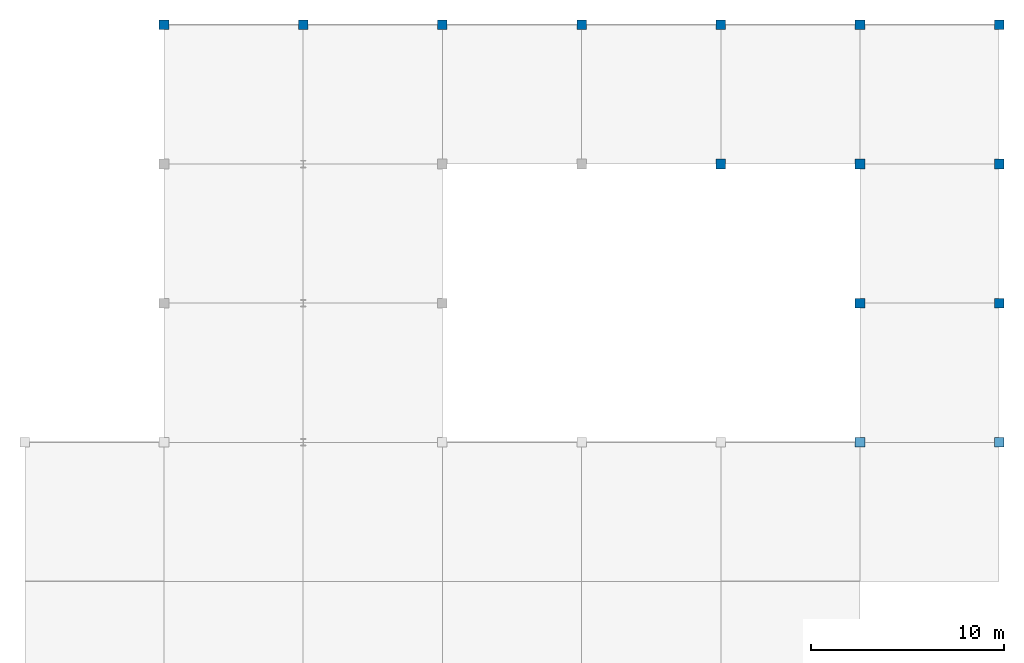
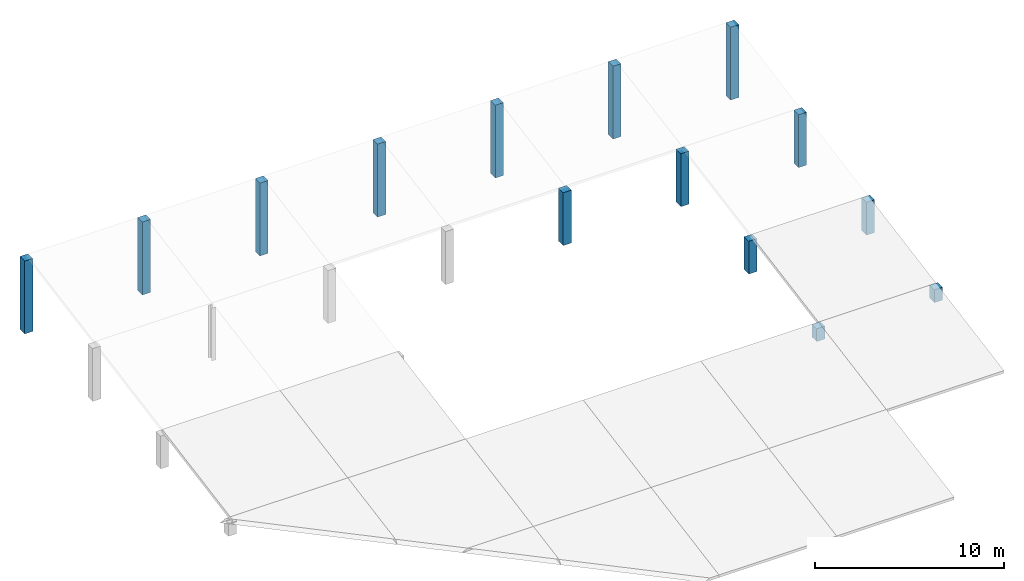
# One storey, part 2 of 4: 14 columns.
"""IFC4 building model written with IfcOpenShell, lengths in metres."""

from ifc_helpers import new_model, si_unit, direction, frame, origin, origin_2d, place, context, subcontext, project, spatial, rectangle, extrude, material, material_profile, profile_set, type_object, element, save


model = new_model("IFC4")

# Units and contexts
model_context = context("Model", 3, precision=1e-05, world=origin(), true_north=direction((0.0, 1.0)))
body_context = subcontext(model_context, "Body", "Model", "MODEL_VIEW")
ifc_project = project(units=[si_unit("LENGTHUNIT", "METRE"), si_unit("AREAUNIT", "SQUARE_METRE"), si_unit("VOLUMEUNIT", "CUBIC_METRE"), si_unit("PLANEANGLEUNIT", "RADIAN"), si_unit("MASSUNIT", "GRAM", prefix="KILO")], contexts=[model_context])

# Site, building, storey
site_placement = place(None, origin())
site = spatial("IfcSite", under=ifc_project, at=site_placement, CompositionType="ELEMENT")
building_placement = place(site_placement, origin())
building = spatial("IfcBuilding", under=site, at=building_placement, Name="Sillqori Civic Hall", CompositionType="ELEMENT")
storey_placement = place(building_placement, frame((0.0, 0.0, 30.0)))
storey = spatial("IfcBuildingStorey", under=building, at=storey_placement, Name="ROOF", CompositionType="ELEMENT", Elevation=30.0)

# Columns
ifc_material = material(Name="Concrete C35/45 (H35)", Category="concrete")
ifc_material_profile = material_profile(ifc_material, rectangle(XDim=0.5, YDim=0.5, at=origin_2d()), Name="RC 500x500")
ifc_profile_set = profile_set([ifc_material_profile], Name="Concrete C35/45 (H35)")
column_type = type_object("IfcColumnType", Name="COL-RC500", PredefinedType="COLUMN", material=ifc_profile_set)
for number, where, z_axis, x_axis, name in (
    (1, (57.60009765625, 115.199951171875, 0.0), (0.0, 0.0, 1.0), (1.0, 0.0, 0.0), "ROOF column 8-16"),
    (2, (64.800048828125, 115.199951171875, 0.0), (0.0, 0.0, 1.0), (1.0, 0.0, 0.0), "ROOF column 9-16"),
    (3, (72.0, 115.199951171875, 0.0), (0.0, 0.0, 1.0), (1.0, 0.0, 0.0), "ROOF column 10-16"),
    (4, (79.199951171875, 115.199951171875, 0.0), (0.0, 0.0, 1.0), (1.0, 0.0, 0.0), "ROOF column 11-16"),
):
    element("IfcColumn", number, at=place(storey_placement, frame(where, z_axis=z_axis, x_axis=x_axis)), inside=storey, type_object=column_type, Name=name, PredefinedType="COLUMN", context=body_context, shape_type="SweptSolid", body=[
        extrude(rectangle(XDim=0.5, YDim=0.5, at=origin_2d()), origin(), (0.0, 0.0, 1.0), 4.716796875),
    ])
column_1_placement = place(storey_placement, frame((86.39990234375, 108.0, 0.0), z_axis=(0.0, 0.0, 1.0), x_axis=(1.0, 0.0, 0.0)))
element("IfcColumn", 5, at=column_1_placement, inside=storey, type_object=column_type, Name="ROOF column 12-15", PredefinedType="COLUMN", context=body_context, shape_type="SweptSolid", body=[
    extrude(rectangle(XDim=0.5, YDim=0.5, at=origin_2d()), origin(), (0.0, 0.0, 1.0), 3.4208984375),
])
column_2_placement = place(storey_placement, frame((86.39990234375, 115.199951171875, 0.0), z_axis=(0.0, 0.0, 1.0), x_axis=(1.0, 0.0, 0.0)))
element("IfcColumn", 6, at=column_2_placement, inside=storey, type_object=column_type, Name="ROOF column 12-16", PredefinedType="COLUMN", context=body_context, shape_type="SweptSolid", body=[
    extrude(rectangle(XDim=0.5, YDim=0.5, at=origin_2d()), origin(), (0.0, 0.0, 1.0), 4.716796875),
])
column_3_placement = place(storey_placement, frame((93.60009765625, 93.60009765625, 0.0), z_axis=(0.0, 0.0, 1.0), x_axis=(1.0, 0.0, 0.0)))
element("IfcColumn", 7, at=column_3_placement, inside=storey, type_object=column_type, Name="ROOF column 13-13", PredefinedType="COLUMN", context=body_context, shape_type="SweptSolid", body=[
    extrude(rectangle(XDim=0.5, YDim=0.5, at=origin_2d()), origin(), (0.0, 0.0, 1.0), 0.828857421875),
])
column_4_placement = place(storey_placement, frame((93.60009765625, 100.800048828125, 0.0), z_axis=(0.0, 0.0, 1.0), x_axis=(1.0, 0.0, 0.0)))
element("IfcColumn", 8, at=column_4_placement, inside=storey, type_object=column_type, Name="ROOF column 13-14", PredefinedType="COLUMN", context=body_context, shape_type="SweptSolid", body=[
    extrude(rectangle(XDim=0.5, YDim=0.5, at=origin_2d()), origin(), (0.0, 0.0, 1.0), 2.124755859375),
])
column_5_placement = place(storey_placement, frame((93.60009765625, 108.0, 0.0), z_axis=(0.0, 0.0, 1.0), x_axis=(1.0, 0.0, 0.0)))
element("IfcColumn", 9, at=column_5_placement, inside=storey, type_object=column_type, Name="ROOF column 13-15", PredefinedType="COLUMN", context=body_context, shape_type="SweptSolid", body=[
    extrude(rectangle(XDim=0.5, YDim=0.5, at=origin_2d()), origin(), (0.0, 0.0, 1.0), 3.4208984375),
])
column_6_placement = place(storey_placement, frame((93.60009765625, 115.199951171875, 0.0), z_axis=(0.0, 0.0, 1.0), x_axis=(1.0, 0.0, 0.0)))
element("IfcColumn", 10, at=column_6_placement, inside=storey, type_object=column_type, Name="ROOF column 13-16", PredefinedType="COLUMN", context=body_context, shape_type="SweptSolid", body=[
    extrude(rectangle(XDim=0.5, YDim=0.5, at=origin_2d()), origin(), (0.0, 0.0, 1.0), 4.716796875),
])
column_7_placement = place(storey_placement, frame((100.800048828125, 93.60009765625, 0.0), z_axis=(0.0, 0.0, 1.0), x_axis=(1.0, 0.0, 0.0)))
element("IfcColumn", 11, at=column_7_placement, inside=storey, type_object=column_type, Name="ROOF column 14-13", PredefinedType="COLUMN", context=body_context, shape_type="SweptSolid", body=[
    extrude(rectangle(XDim=0.5, YDim=0.5, at=origin_2d()), origin(), (0.0, 0.0, 1.0), 0.828857421875),
])
column_8_placement = place(storey_placement, frame((100.800048828125, 100.800048828125, 0.0), z_axis=(0.0, 0.0, 1.0), x_axis=(1.0, 0.0, 0.0)))
element("IfcColumn", 12, at=column_8_placement, inside=storey, type_object=column_type, Name="ROOF column 14-14", PredefinedType="COLUMN", context=body_context, shape_type="SweptSolid", body=[
    extrude(rectangle(XDim=0.5, YDim=0.5, at=origin_2d()), origin(), (0.0, 0.0, 1.0), 2.124755859375),
])
column_9_placement = place(storey_placement, frame((100.800048828125, 108.0, 0.0), z_axis=(0.0, 0.0, 1.0), x_axis=(1.0, 0.0, 0.0)))
element("IfcColumn", 13, at=column_9_placement, inside=storey, type_object=column_type, Name="ROOF column 14-15", PredefinedType="COLUMN", context=body_context, shape_type="SweptSolid", body=[
    extrude(rectangle(XDim=0.5, YDim=0.5, at=origin_2d()), origin(), (0.0, 0.0, 1.0), 3.4208984375),
])
column_10_placement = place(storey_placement, frame((100.800048828125, 115.199951171875, 0.0), z_axis=(0.0, 0.0, 1.0), x_axis=(1.0, 0.0, 0.0)))
element("IfcColumn", 14, at=column_10_placement, inside=storey, type_object=column_type, Name="ROOF column 14-16", PredefinedType="COLUMN", context=body_context, shape_type="SweptSolid", body=[
    extrude(rectangle(XDim=0.5, YDim=0.5, at=origin_2d()), origin(), (0.0, 0.0, 1.0), 4.716796875),
])

save(model, "model.ifc")
